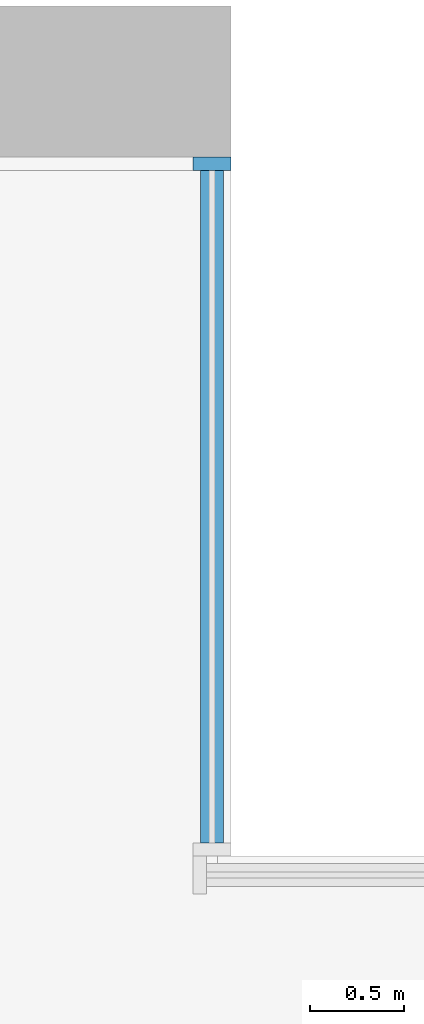
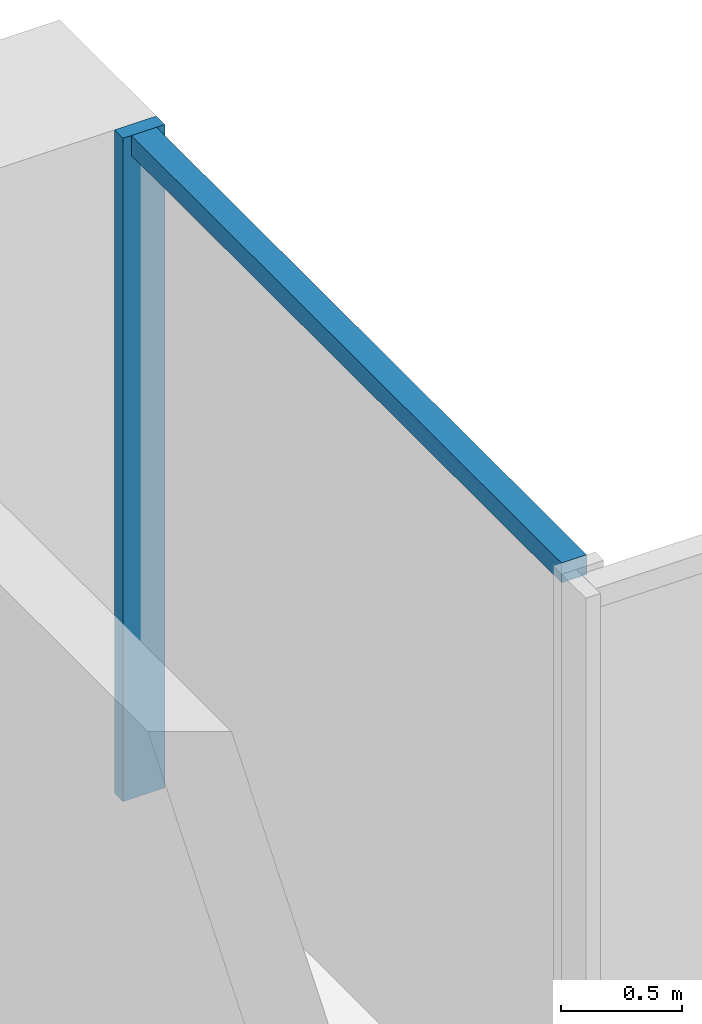
# One storey, part 6 of 15: 2 members, 1 element without a shape of its own.
"""IFC4 building model written with IfcOpenShell, lengths in metres."""

from ifc_helpers import new_model, si_unit, direction, frame, origin, origin_2d, place, context, subcontext, project, spatial, rectangle, extrude, material, material_profile, profile_set, type_object, element, aggregate, save


model = new_model("IFC4")

# Units and contexts
model_context = context("Model", 3, precision=1e-05, world=origin(), true_north=direction((0.0, 1.0)))
body_context = subcontext(model_context, "Body", "Model", "MODEL_VIEW")
ifc_project = project(units=[si_unit("LENGTHUNIT", "METRE"), si_unit("AREAUNIT", "SQUARE_METRE"), si_unit("VOLUMEUNIT", "CUBIC_METRE"), si_unit("PLANEANGLEUNIT", "RADIAN"), si_unit("MASSUNIT", "GRAM", prefix="KILO")], contexts=[model_context])

# Site, building, storey
site_placement = place(None, origin())
site = spatial("IfcSite", under=ifc_project, at=site_placement, CompositionType="ELEMENT")
building_placement = place(site_placement, origin())
building = spatial("IfcBuilding", under=site, at=building_placement, Name="Calvaro Tower", CompositionType="ELEMENT")
storey_placement = place(building_placement, frame((0.0, 0.0, 125.0)))
storey = spatial("IfcBuildingStorey", under=building, at=storey_placement, Name="L31", CompositionType="ELEMENT", Elevation=125.0)

# Curtain wall, members
ifc_material_1 = material(Name="Anodised aluminium", Category="aluminium")
curtain_wall_type = type_object("IfcCurtainWallType", Name="Office curtain wall, middle zone", PredefinedType="NOTDEFINED", material=ifc_material_1)
curtain_wall_placement = place(storey_placement, origin())
curtain_wall = element("IfcCurtainWall", 1, at=curtain_wall_placement, inside=storey, type_object=curtain_wall_type, Name="CW2 corner curtain wall", PredefinedType="NOTDEFINED")
ifc_material_2 = material(Name="Anodised aluminium", Category="aluminium")
ifc_material_profile_1 = material_profile(ifc_material_2, rectangle(XDim=0.199951171875, YDim=0.070068359375, at=origin_2d()), Name="Mullion S2 70 x 200")
ifc_profile_set_1 = profile_set([ifc_material_profile_1], Name="Anodised aluminium")
member_type_1 = type_object("IfcMemberType", Name="Mullion S2 70 x 200", PredefinedType="MULLION", material=ifc_profile_set_1)
member_1_placement = place(storey_placement, frame((66.35009765625, 45.1650390625, 0.0), z_axis=(0.0, 0.0, 1.0), x_axis=(-1.0, 0.0, 0.0)))
member_1 = element("IfcMember", 2, at=member_1_placement, type_object=member_type_1, Name="CW2 mullion 2", PredefinedType="MULLION", context=body_context, shape_type="SweptSolid", body=[
    extrude(rectangle(XDim=0.199951171875, YDim=0.070068359375, at=origin_2d()), origin(), (0.0, 0.0, 1.0), 3.35009765625),
])
ifc_material_3 = material(Name="Anodised aluminium", Category="aluminium")
ifc_material_profile_2 = material_profile(ifc_material_3, rectangle(XDim=0.1201171875, YDim=0.10009765625, at=origin_2d()), Name="Transom S2 100 x 120")
ifc_profile_set_2 = profile_set([ifc_material_profile_2], Name="Anodised aluminium")
member_type_2 = type_object("IfcMemberType", Name="Transom S2 100 x 120", PredefinedType="USERDEFINED", material=ifc_profile_set_2)
member_2_placement = place(storey_placement, frame((66.35009765625, 41.570068359375, 3.300048828125), z_axis=(0.0, 1.0, 0.0), x_axis=(-1.0, 0.0, 0.0)))
member_2 = element("IfcMember", 3, at=member_2_placement, type_object=member_type_2, Name="CW2 transom 1.1", ObjectType="TRANSOM", PredefinedType="USERDEFINED", context=body_context, shape_type="SweptSolid", body=[
    extrude(rectangle(XDim=0.1201171875, YDim=0.10009765625, at=origin_2d()), origin(), (0.0, 0.0, 1.0), 3.559814453125),
])
aggregate(curtain_wall, [member_1, member_2])

save(model, "model.ifc")
